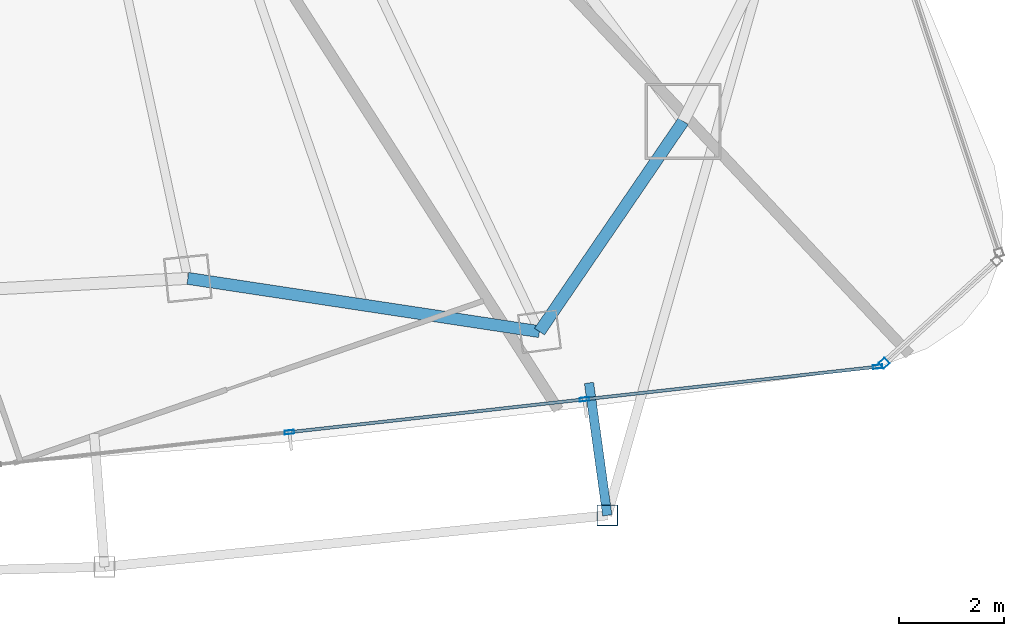
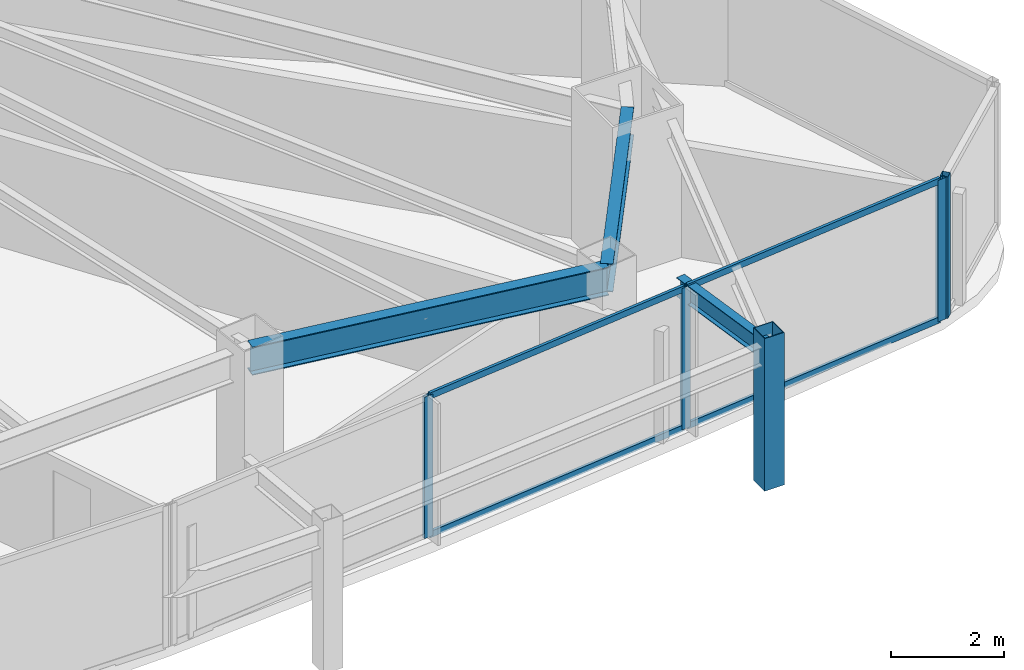
# One storey, part 12 of 29: 9 members, 3 beams, 2 elements without a shape of their own.
"""IFC4 building model written with IfcOpenShell, lengths in metres."""

from ifc_helpers import new_model, si_unit, direction, frame, origin, origin_2d, place, context, subcontext, project, spatial, hollow_rectangle, i_section, extrude, material, layer, layer_set, material_profile, profile_set, type_object, element, aggregate, save


model = new_model("IFC4")

# Units and contexts
model_context = context("Model", 3, precision=1e-05, world=origin(), true_north=direction((0.0, 1.0)))
body_context = subcontext(model_context, "Body", "Model", "MODEL_VIEW")
ifc_project = project(units=[si_unit("LENGTHUNIT", "METRE"), si_unit("AREAUNIT", "SQUARE_METRE"), si_unit("VOLUMEUNIT", "CUBIC_METRE"), si_unit("PLANEANGLEUNIT", "RADIAN"), si_unit("MASSUNIT", "GRAM", prefix="KILO")], contexts=[model_context])

# Site, building, storey
site_placement = place(None, origin())
site = spatial("IfcSite", under=ifc_project, at=site_placement, CompositionType="ELEMENT")
building_placement = place(site_placement, origin())
building = spatial("IfcBuilding", under=site, at=building_placement, Name="Orvanel Arch Residences", CompositionType="ELEMENT")
storey_placement = place(building_placement, frame((0.0, 0.0, 163.85009765625)))
storey = spatial("IfcBuildingStorey", under=building, at=storey_placement, Name="L46", CompositionType="ELEMENT", Elevation=163.85009765625)

# Curtain wall, member
ifc_material_1 = material(Name="Bronze-anodised aluminium AA6063-T6", Category="aluminium")
ifc_layer_1 = layer(ifc_material_1, 0.18994140625)
ifc_layer_set_1 = layer_set([ifc_layer_1], Name="Bronze-anodised aluminium AA6063-T6")
curtain_wall_type_1 = type_object("IfcCurtainWallType", Name="CW5-CRN-SYS", PredefinedType="NOTDEFINED", material=ifc_layer_set_1)
curtain_wall_1_placement = place(storey_placement, origin())
curtain_wall_1 = element("IfcCurtainWall", 1, at=curtain_wall_1_placement, inside=storey, type_object=curtain_wall_type_1, Name="L46 CW5-CRN-SYS Unitised Curtain Wall", PredefinedType="NOTDEFINED")
ifc_material_profile_1 = material_profile(ifc_material_1, hollow_rectangle(XDim=0.14990234375, YDim=0.14990234375, WallThickness=0.0048828125, at=origin_2d()), Name="ALU150x150x5")
ifc_profile_set_1 = profile_set([ifc_material_profile_1], Name="Bronze-anodised aluminium AA6063-T6")
member_type_1 = type_object("IfcMemberType", Name="MUL-150x150", PredefinedType="MULLION", material=ifc_profile_set_1)
member_1_placement = place(storey_placement, frame((55.635498046875, 5.739501953125, 0.0), z_axis=(0.0, 0.0, 1.0), x_axis=(-0.672395615727, 0.740191958853, 0.0)))
member_1 = element("IfcMember", 2, at=member_1_placement, type_object=member_type_1, Name="CW-S5 mullion 1", PredefinedType="MULLION", context=body_context, shape_type="SweptSolid", body=[
    extrude(hollow_rectangle(XDim=0.14990234375, YDim=0.14990234375, WallThickness=0.0048828125, at=origin_2d()), origin(), (0.0, 0.0, 1.0), 3.059814453125),
])
aggregate(curtain_wall_1, [member_1])

# Curtain wall, members
ifc_layer_2 = layer(ifc_material_1, 0.179931640625)
ifc_layer_set_2 = layer_set([ifc_layer_2], Name="Bronze-anodised aluminium AA6063-T6")
curtain_wall_type_2 = type_object("IfcCurtainWallType", Name="CW3-MID-SYS", PredefinedType="NOTDEFINED", material=ifc_layer_set_2)
curtain_wall_2_placement = place(storey_placement, origin())
curtain_wall_2 = element("IfcCurtainWall", 3, at=curtain_wall_2_placement, inside=storey, type_object=curtain_wall_type_2, Name="L46 CW3-MID-SYS Unitised Curtain Wall", PredefinedType="NOTDEFINED")
ifc_material_profile_2 = material_profile(ifc_material_1, hollow_rectangle(XDim=0.070068359375, YDim=0.179931640625, WallThickness=0.00439453125, at=origin_2d()), Name="ALU180x70x4.5")
ifc_profile_set_2 = profile_set([ifc_material_profile_2], Name="Bronze-anodised aluminium AA6063-T6")
member_type_2 = type_object("IfcMemberType", Name="MUL-180x70", PredefinedType="MULLION", material=ifc_profile_set_2)
member_2_placement = place(storey_placement, frame((44.2890625, 4.42138671875, 0.0), z_axis=(0.0, 0.0, 1.0), x_axis=(-0.11060596361, 0.993864337228, 0.0)))
member_2 = element("IfcMember", 4, at=member_2_placement, type_object=member_type_2, Name="CW-S3 mullion 2", PredefinedType="MULLION", context=body_context, shape_type="SweptSolid", body=[
    extrude(hollow_rectangle(XDim=0.070068359375, YDim=0.179931640625, WallThickness=0.00439453125, at=origin_2d()), origin(), (0.0, 0.0, 1.0), 3.059814453125),
])
member_3_placement = place(storey_placement, frame((49.9169921875, 5.047607421875, 0.0), z_axis=(0.0, 0.0, 1.0), x_axis=(-0.11060596361, 0.993864337228, 0.0)))
member_3 = element("IfcMember", 5, at=member_3_placement, type_object=member_type_2, Name="CW-S3 mullion 3", PredefinedType="MULLION", context=body_context, shape_type="SweptSolid", body=[
    extrude(hollow_rectangle(XDim=0.070068359375, YDim=0.179931640625, WallThickness=0.00439453125, at=origin_2d()), origin(), (0.0, 0.0, 1.0), 3.059814453125),
])
member_4_placement = place(storey_placement, frame((55.51025390625, 5.670166015625, 0.0), z_axis=(0.0, 0.0, 1.0), x_axis=(-0.11060596361, 0.993864337228, 0.0)))
member_4 = element("IfcMember", 6, at=member_4_placement, type_object=member_type_2, Name="CW-S3 mullion 4", PredefinedType="MULLION", context=body_context, shape_type="SweptSolid", body=[
    extrude(hollow_rectangle(XDim=0.070068359375, YDim=0.179931640625, WallThickness=0.00439453125, at=origin_2d()), origin(), (0.0, 0.0, 1.0), 3.059814453125),
])

# Beams
ifc_material_2 = material(Name="Structural steel AS/NZS 3679.1 Grade 300 (300 MPa)", Category="steel")
ifc_material_profile_3 = material_profile(ifc_material_2, i_section(OverallWidth=0.177978515625, OverallDepth=0.406005859375, WebThickness=0.0078125, FlangeThickness=0.0126953125, at=origin_2d()), Name="410UB59.7")
ifc_profile_set_3 = profile_set([ifc_material_profile_3], Name="Structural steel AS/NZS 3679.1 Grade 300 (300 MPa)")
beam_type_1 = type_object("IfcBeamType", Name="OB-410UB-EXT", PredefinedType="SPANDREL", material=ifc_profile_set_3)
beam_1_placement = place(storey_placement, frame((50.00390625, 5.361083984375, 2.85693359375), z_axis=(0.136903041164, -0.990584452392, 0.0), x_axis=(0.990584452392, 0.136903041164, 0.0)))
element("IfcBeam", 7, at=beam_1_placement, inside=storey, type_object=beam_type_1, Name="L46 Outer Frame Radial Tie Beam 08", PredefinedType="SPANDREL", context=body_context, shape_type="SweptSolid", body=[
    extrude(i_section(OverallWidth=0.177978515625, OverallDepth=0.406005859375, WebThickness=0.0078125, FlangeThickness=0.0126953125, at=origin_2d()), origin(), (0.0, 0.0, 1.0), 2.550048828125),
])
ifc_material_profile_4 = material_profile(ifc_material_2, i_section(OverallWidth=0.22900390625, OverallDepth=0.612060546875, WebThickness=0.011962890625, FlangeThickness=0.01953125, at=origin_2d()), Name="610UB125")
ifc_profile_set_4 = profile_set([ifc_material_profile_4], Name="Structural steel AS/NZS 3679.1 Grade 300 (300 MPa)")
beam_type_2 = type_object("IfcBeamType", Name="SP-610UB", PredefinedType="SPANDREL", material=ifc_profile_set_4)
beam_2_placement = place(storey_placement, frame((42.35107421875, 7.35498046875, 2.75390625), z_axis=(0.988726323014, -0.149733958002, 0.0), x_axis=(0.149733958002, 0.988726323014, 0.0)))
element("IfcBeam", 8, at=beam_2_placement, inside=storey, type_object=beam_type_2, Name="L46 Perimeter Spandrel Beam 07", PredefinedType="SPANDREL", context=body_context, shape_type="SweptSolid", body=[
    extrude(i_section(OverallWidth=0.22900390625, OverallDepth=0.612060546875, WebThickness=0.011962890625, FlangeThickness=0.01953125, at=origin_2d()), origin(), (0.0, 0.0, 1.0), 6.784423828125),
])
beam_3_placement = place(storey_placement, frame((49.05908203125, 6.339111328125, 2.75390625), z_axis=(0.564251579852, 0.825602903722, 0.0), x_axis=(-0.825602903722, 0.564251579852, 0.0)))
element("IfcBeam", 9, at=beam_3_placement, inside=storey, type_object=beam_type_2, Name="L46 Perimeter Spandrel Beam 08", PredefinedType="SPANDREL", context=body_context, shape_type="SweptSolid", body=[
    extrude(i_section(OverallWidth=0.22900390625, OverallDepth=0.612060546875, WebThickness=0.011962890625, FlangeThickness=0.01953125, at=origin_2d()), origin(), (0.0, 0.0, 1.0), 4.859375),
])

# Member
ifc_material_3 = material(Name="Structural steel AS/NZS 1163 C450L0 (Grade 450)", Category="steel")
ifc_material_profile_5 = material_profile(ifc_material_3, hollow_rectangle(XDim=0.39990234375, YDim=0.39990234375, WallThickness=0.01611328125, at=origin_2d()), Name="SHS400x400x16")
ifc_profile_set_5 = profile_set([ifc_material_profile_5], Name="Structural steel AS/NZS 1163 C450L0 (Grade 450)")
member_type_3 = type_object("IfcMemberType", Name="ST-400SHS-EXT", PredefinedType="STRUT", material=ifc_profile_set_5)
member_5_placement = place(storey_placement, frame((50.35302734375, 2.8349609375, 0.0), z_axis=(0.0, 0.0, 1.0), x_axis=(1.0, 0.0, 0.0)))
element("IfcMember", 10, at=member_5_placement, inside=storey, type_object=member_type_3, Name="L46 Outer Perimeter Frame Post 08", PredefinedType="STRUT", context=body_context, shape_type="SweptSolid", body=[
    extrude(hollow_rectangle(XDim=0.39990234375, YDim=0.39990234375, WallThickness=0.01611328125, at=origin_2d()), origin(), (0.0, 0.0, 1.0), 3.2998046875),
])

ifc_material_profile_6 = material_profile(ifc_material_1, hollow_rectangle(XDim=0.06005859375, YDim=0.135009765625, WallThickness=0.00390625, at=origin_2d()), Name="ALU135x60x4")
ifc_profile_set_6 = profile_set([ifc_material_profile_6], Name="Bronze-anodised aluminium AA6063-T6")
member_type_4 = type_object("IfcMemberType", Name="TRN-135x60", PredefinedType="USERDEFINED", material=ifc_profile_set_6)
member_6_placement = place(storey_placement, frame((44.32373046875, 4.42529296875, 0.02978515625), z_axis=(0.993868287066, 0.110570466055, 0.0), x_axis=(-0.110570466055, 0.993868287066, 0.0)))
member_6 = element("IfcMember", 11, at=member_6_placement, type_object=member_type_4, Name="CW-S3 transom 2.1", ObjectType="TRANSOM", PredefinedType="USERDEFINED", context=body_context, shape_type="SweptSolid", body=[
    extrude(hollow_rectangle(XDim=0.06005859375, YDim=0.135009765625, WallThickness=0.00390625, at=origin_2d()), origin(), (0.0, 0.0, 1.0), 5.5927734375),
])

member_7_placement = place(storey_placement, frame((44.32373046875, 4.42529296875, 3.02978515625), z_axis=(0.993868287066, 0.110570466055, 0.0), x_axis=(-0.110570466055, 0.993868287066, 0.0)))
member_7 = element("IfcMember", 12, at=member_7_placement, type_object=member_type_4, Name="CW-S3 transom 2.2", ObjectType="TRANSOM", PredefinedType="USERDEFINED", context=body_context, shape_type="SweptSolid", body=[
    extrude(hollow_rectangle(XDim=0.06005859375, YDim=0.135009765625, WallThickness=0.00390625, at=origin_2d()), origin(), (0.0, 0.0, 1.0), 5.5927734375),
])

member_8_placement = place(storey_placement, frame((49.951904296875, 5.051513671875, 0.02978515625), z_axis=(0.993863360164, 0.110614742791, 0.0), x_axis=(-0.110614742791, 0.993863360164, 0.0)))
member_8 = element("IfcMember", 13, at=member_8_placement, type_object=member_type_4, Name="CW-S3 transom 3.1", ObjectType="TRANSOM", PredefinedType="USERDEFINED", context=body_context, shape_type="SweptSolid", body=[
    extrude(hollow_rectangle(XDim=0.06005859375, YDim=0.135009765625, WallThickness=0.00390625, at=origin_2d()), origin(), (0.0, 0.0, 1.0), 5.5576171875),
])

member_9_placement = place(storey_placement, frame((49.951904296875, 5.051513671875, 3.02978515625), z_axis=(0.993863360164, 0.110614742791, 0.0), x_axis=(-0.110614742791, 0.993863360164, 0.0)))
member_9 = element("IfcMember", 14, at=member_9_placement, type_object=member_type_4, Name="CW-S3 transom 3.2", ObjectType="TRANSOM", PredefinedType="USERDEFINED", context=body_context, shape_type="SweptSolid", body=[
    extrude(hollow_rectangle(XDim=0.06005859375, YDim=0.135009765625, WallThickness=0.00390625, at=origin_2d()), origin(), (0.0, 0.0, 1.0), 5.5576171875),
])

aggregate(curtain_wall_2, [member_2, member_3, member_4, member_6, member_7, member_8, member_9])

save(model, "model.ifc")
